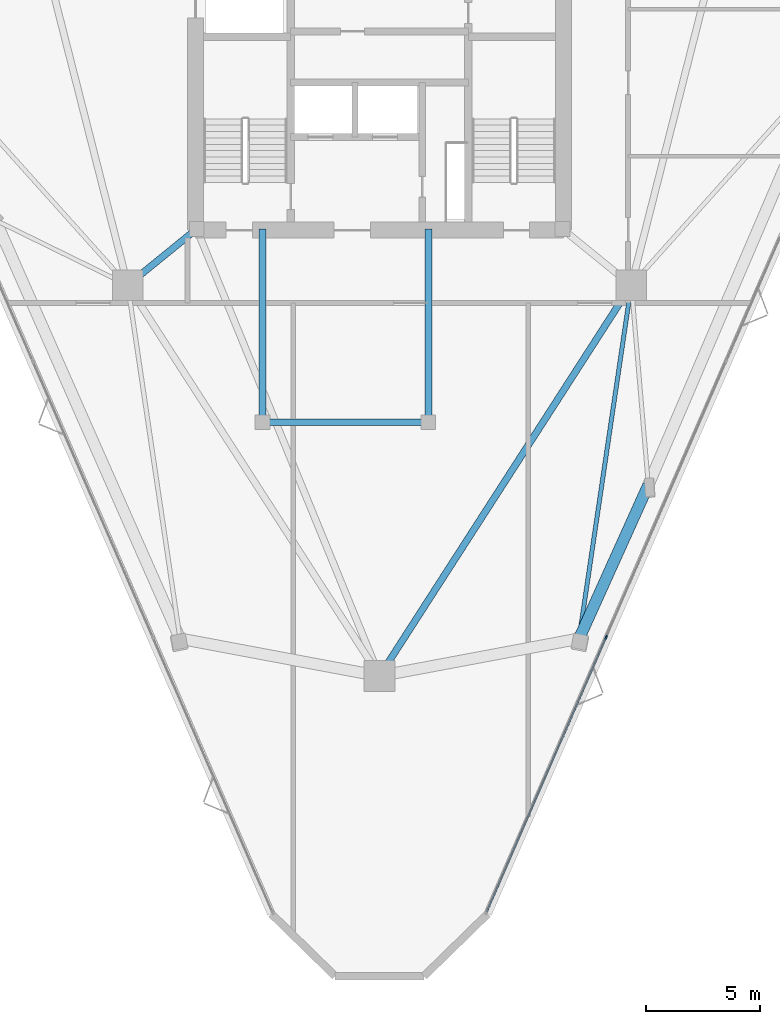
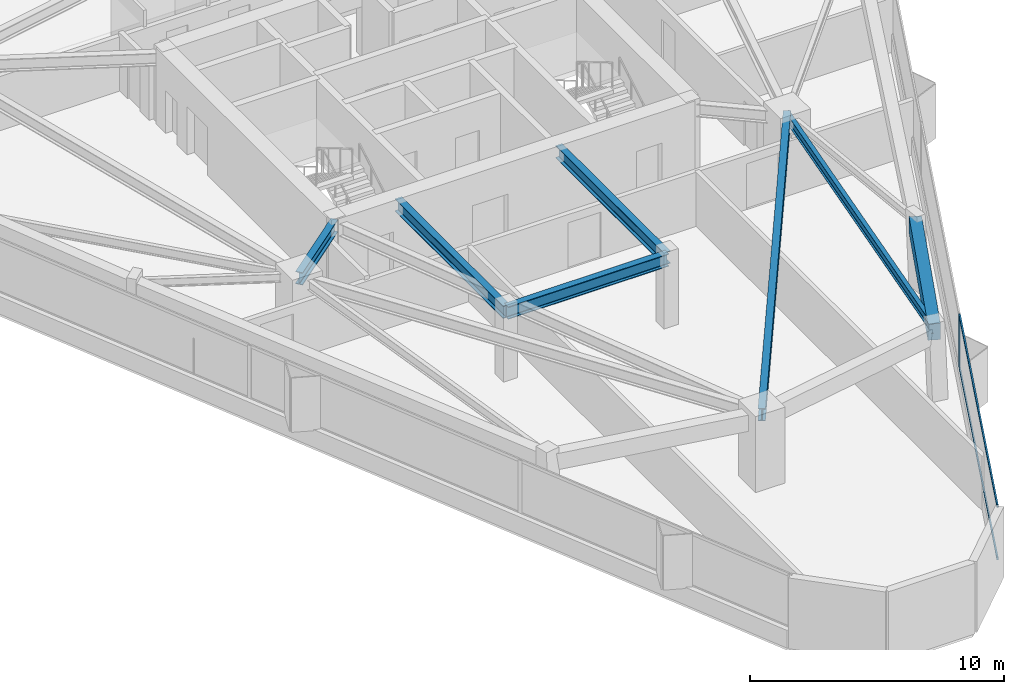
# One storey, part 3 of 13: 7 beams, 3 members, 1 element without a shape of its own.
"""IFC4 building model written with IfcOpenShell, lengths in metres."""

from ifc_helpers import new_model, si_unit, direction, frame, origin, origin_2d, place, context, subcontext, project, spatial, rectangle, i_section, extrude, material, layer, layer_set, material_profile, profile_set, type_object, element, aggregate, save


model = new_model("IFC4")

# Units and contexts
model_context = context("Model", 3, precision=1e-05, world=origin(), true_north=direction((0.0, 1.0)))
body_context = subcontext(model_context, "Body", "Model", "MODEL_VIEW")
ifc_project = project(units=[si_unit("LENGTHUNIT", "METRE"), si_unit("AREAUNIT", "SQUARE_METRE"), si_unit("VOLUMEUNIT", "CUBIC_METRE"), si_unit("PLANEANGLEUNIT", "RADIAN"), si_unit("MASSUNIT", "GRAM", prefix="KILO")], contexts=[model_context])

# Site, building, storey
site_placement = place(None, origin())
site = spatial("IfcSite", under=ifc_project, at=site_placement, CompositionType="ELEMENT")
building_placement = place(site_placement, origin())
building = spatial("IfcBuilding", under=site, at=building_placement, Name="Talyreon Biosciences Tower", CompositionType="ELEMENT")
storey_placement = place(building_placement, frame((0.0, 0.0, 190.35009765625)))
storey = spatial("IfcBuildingStorey", under=building, at=storey_placement, Name="L50", CompositionType="ELEMENT", Elevation=190.35009765625)

# Curtain wall, members
ifc_material_1 = material(Name="Thermally broken aluminium and low-E glazing", Category="aluminium")
ifc_layer = layer(ifc_material_1, 0.179931640625)
ifc_layer_set = layer_set([ifc_layer], Name="Thermally broken aluminium and low-E glazing")
curtain_wall_type = type_object("IfcCurtainWallType", Name="CurtainWall_Zone4Optical", PredefinedType="NOTDEFINED", material=ifc_layer_set)
curtain_wall_placement = place(storey_placement, origin())
curtain_wall = element("IfcCurtainWall", 1, at=curtain_wall_placement, inside=storey, type_object=curtain_wall_type, Name="L50 Unitised Curtain Wall FCW-L50-08", PredefinedType="NOTDEFINED")
ifc_material_2 = material(Name="Anodised thermally broken aluminium", Category="aluminium")
ifc_material_profile_1 = material_profile(ifc_material_2, rectangle(XDim=0.06494140625, YDim=0.179931640625, at=origin_2d()), Name="ALUM MULLION 65x180")
ifc_profile_set_1 = profile_set([ifc_material_profile_1], Name="Anodised thermally broken aluminium")
member_type_1 = type_object("IfcMemberType", Name="CWMullion_65x180", PredefinedType="MULLION", material=ifc_profile_set_1)
member_1_placement = place(storey_placement, frame((75.977783203125, 43.374267578125, 0.809814453125), z_axis=(0.0, 0.0, 1.0), x_axis=(0.917010897502, -0.398862148946, 0.0)))
member_1 = element("IfcMember", 2, at=member_1_placement, type_object=member_type_1, Name="CW5 mullion 4", PredefinedType="MULLION", context=body_context, shape_type="SweptSolid", body=[
    extrude(rectangle(XDim=0.06494140625, YDim=0.179931640625, at=origin_2d()), origin(), (0.0, 0.0, 1.0), 2.590087890625),
])
ifc_material_profile_2 = material_profile(ifc_material_2, rectangle(XDim=0.06494140625, YDim=0.139892578125, at=origin_2d()), Name="ALUM TRANSOM 65x140")
ifc_profile_set_2 = profile_set([ifc_material_profile_2], Name="Anodised thermally broken aluminium")
member_type_2 = type_object("IfcMemberType", Name="CWTransom_65x140", PredefinedType="USERDEFINED", material=ifc_profile_set_2)
member_2_placement = place(storey_placement, frame((75.96484375, 43.344482421875, 0.84228515625), z_axis=(-0.398866666561, -0.917008932512, 0.0), x_axis=(0.917008932512, -0.398866666561, 0.0)))
member_2 = element("IfcMember", 3, at=member_2_placement, type_object=member_type_2, Name="CW5 transom 4.1", ObjectType="TRANSOM", PredefinedType="USERDEFINED", context=body_context, shape_type="SweptSolid", body=[
    extrude(rectangle(XDim=0.06494140625, YDim=0.139892578125, at=origin_2d()), origin(), (0.0, 0.0, 1.0), 13.14697265625),
])
member_3_placement = place(storey_placement, frame((75.96484375, 43.344482421875, 3.367431640625), z_axis=(-0.398866666561, -0.917008932512, 0.0), x_axis=(0.917008932512, -0.398866666561, 0.0)))
member_3 = element("IfcMember", 4, at=member_3_placement, type_object=member_type_2, Name="CW5 transom 4.2", ObjectType="TRANSOM", PredefinedType="USERDEFINED", context=body_context, shape_type="SweptSolid", body=[
    extrude(rectangle(XDim=0.06494140625, YDim=0.139892578125, at=origin_2d()), origin(), (0.0, 0.0, 1.0), 13.14697265625),
])
aggregate(curtain_wall, [member_1, member_2, member_3])

# Beams
ifc_material_3 = material(Name="Precast concrete C45/55", Category="concrete")
ifc_material_profile_3 = material_profile(ifc_material_3, rectangle(XDim=0.5, YDim=0.780029296875, at=origin_2d()), Name="RCB 500x780")
ifc_profile_set_3 = profile_set([ifc_material_profile_3], Name="Precast concrete C45/55")
beam_type_1 = type_object("IfcBeamType", Name="ExpressedSpandrel_500x780", PredefinedType="SPANDREL", material=ifc_profile_set_3)
beam_1_placement = place(storey_placement, frame((74.785400390625, 43.315185546875, 3.010009765625), z_axis=(0.411165136703, 0.911560875839, 0.0), x_axis=(-0.911560875839, 0.411165136703, 0.0)))
element("IfcBeam", 5, at=beam_1_placement, inside=storey, type_object=beam_type_1, Name="L50 Expressed Horizontal Concrete Spandrel 02", PredefinedType="SPANDREL", context=body_context, shape_type="SweptSolid", body=[
    extrude(rectangle(XDim=0.5, YDim=0.780029296875, at=origin_2d()), origin(), (0.0, 0.0, 1.0), 7.41748046875),
])
ifc_material_4 = material(Name="Steel SM355", Category="steel")
ifc_material_profile_4 = material_profile(ifc_material_4, i_section(OverallWidth=0.300048828125, OverallDepth=0.60009765625, WebThickness=0.015380859375, FlangeThickness=0.030029296875, FilletRadius=0.027099609375, at=origin_2d()), Name="HE600B")
ifc_profile_set_4 = profile_set([ifc_material_profile_4], Name="Steel SM355")
beam_type_2 = type_object("IfcBeamType", Name="SteelBeam_HE600B", PredefinedType="BEAM", material=ifc_profile_set_4)
beam_2_placement = place(storey_placement, frame((66.0, 41.6669921875, 3.099853515625), z_axis=(0.541463723609, 0.840724114092, 0.0), x_axis=(-0.840724114092, 0.541463723609, 0.0)))
element("IfcBeam", 6, at=beam_2_placement, inside=storey, type_object=beam_type_2, Name="L50 Mega-Ring Girder 1", PredefinedType="BEAM", context=body_context, shape_type="SweptSolid", body=[
    extrude(i_section(OverallWidth=0.300048828125, OverallDepth=0.60009765625, WebThickness=0.015380859375, FlangeThickness=0.030029296875, FilletRadius=0.027099609375, at=origin_2d()), origin(), (0.0, 0.0, 1.0), 20.474365234375),
])
beam_3_placement = place(storey_placement, frame((57.949951171875, 61.35009765625, 3.099853515625), z_axis=(-0.775755154013, -0.631034025249, 0.0), x_axis=(0.631034025249, -0.775755154013, 0.0)))
element("IfcBeam", 7, at=beam_3_placement, inside=storey, type_object=beam_type_2, Name="L50 Radial Primary Girder 6", PredefinedType="BEAM", context=body_context, shape_type="SweptSolid", body=[
    extrude(i_section(OverallWidth=0.300048828125, OverallDepth=0.60009765625, WebThickness=0.015380859375, FlangeThickness=0.030029296875, FilletRadius=0.027099609375, at=origin_2d()), origin(), (0.0, 0.0, 1.0), 3.913818359375),
])
beam_4_placement = place(storey_placement, frame((60.85009765625, 52.840087890625, 3.099853515625), z_axis=(1.0, 0.0, 0.0), x_axis=(0.0, 1.0, 0.0)))
element("IfcBeam", 8, at=beam_4_placement, inside=storey, type_object=beam_type_2, Name="L50 Crown Shaft Spine Girder S", PredefinedType="BEAM", context=body_context, shape_type="SweptSolid", body=[
    extrude(i_section(OverallWidth=0.300048828125, OverallDepth=0.60009765625, WebThickness=0.015380859375, FlangeThickness=0.030029296875, FilletRadius=0.027099609375, at=origin_2d()), origin(), (0.0, 0.0, 1.0), 7.2998046875),
])
for number, where, z_axis, x_axis, name in (
    (9, (60.85009765625, 52.840087890625, 3.099853515625), (0.0, 1.0, 0.0), (-1.0, 0.0, 0.0), "L50 Crown Shaft Tie Girder W"),
    (10, (68.14990234375, 52.840087890625, 3.099853515625), (0.0, 1.0, 0.0), (-1.0, 0.0, 0.0), "L50 Crown Shaft Tie Girder E"),
):
    element("IfcBeam", number, at=place(storey_placement, frame(where, z_axis=z_axis, x_axis=x_axis)), inside=storey, type_object=beam_type_2, Name=name, PredefinedType="BEAM", context=body_context, shape_type="SweptSolid", body=[
        extrude(i_section(OverallWidth=0.300048828125, OverallDepth=0.60009765625, WebThickness=0.015380859375, FlangeThickness=0.030029296875, FilletRadius=0.027099609375, at=origin_2d()), origin(), (0.0, 0.0, 1.0), 8.510009765625),
    ])
ifc_material_profile_5 = material_profile(ifc_material_4, i_section(OverallWidth=0.18994140625, OverallDepth=0.449951171875, WebThickness=0.009521484375, FlangeThickness=0.0146484375, FilletRadius=0.02099609375, at=origin_2d()), Name="IPE450")
ifc_profile_set_5 = profile_set([ifc_material_profile_5], Name="Steel SM355")
beam_type_3 = type_object("IfcBeamType", Name="SteelJoist_IPE450", PredefinedType="JOIST", material=ifc_profile_set_5)
beam_5_placement = place(storey_placement, frame((77.086181640625, 58.88037109375, 3.1748046875), z_axis=(-0.146226994276, -0.989251063252, 0.0), x_axis=(0.989251063252, -0.146226994276, 0.0)))
element("IfcBeam", 11, at=beam_5_placement, inside=storey, type_object=beam_type_3, Name="L50 Radial Composite Floor Joist PC-SE1", PredefinedType="JOIST", context=body_context, shape_type="SweptSolid", body=[
    extrude(i_section(OverallWidth=0.18994140625, OverallDepth=0.449951171875, WebThickness=0.009521484375, FlangeThickness=0.0146484375, FilletRadius=0.02099609375, at=origin_2d()), origin(), (0.0, 0.0, 1.0), 15.734375),
])

save(model, "model.ifc")
